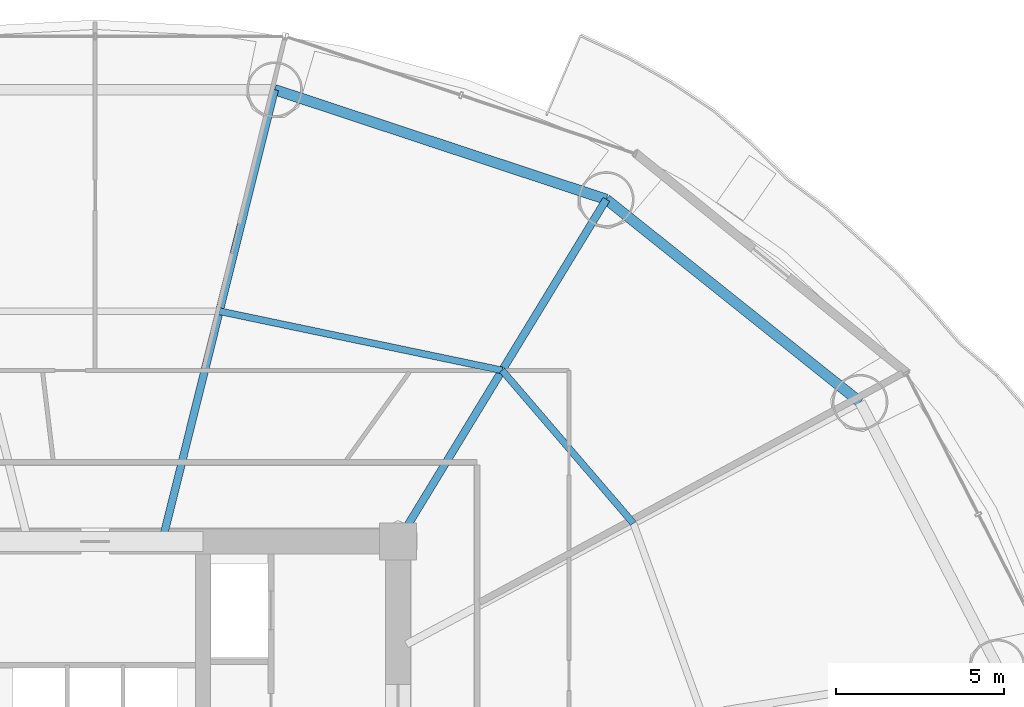
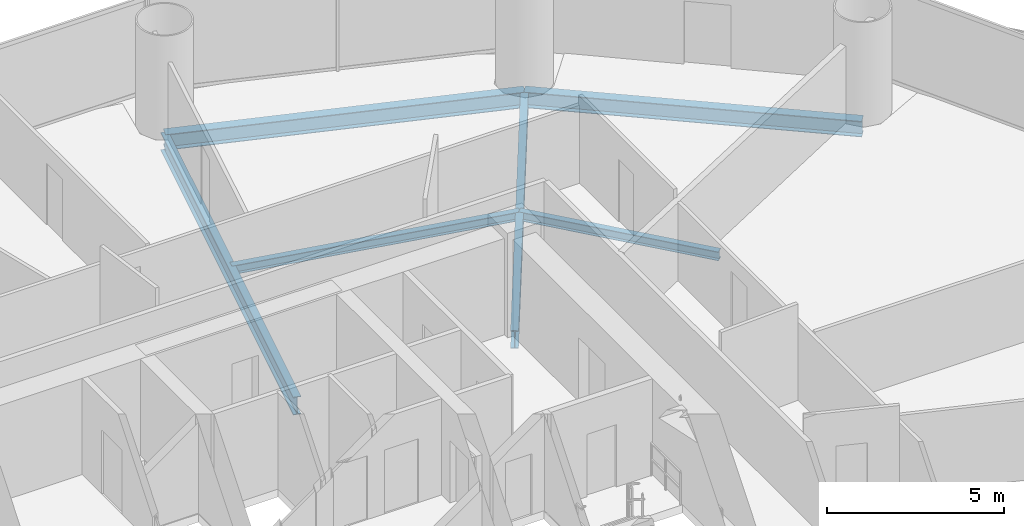
# One storey, part 19 of 30: 6 beams.
"""IFC4 building model written with IfcOpenShell, lengths in metres."""

from ifc_helpers import new_model, si_unit, direction, frame, origin, origin_2d, place, context, subcontext, project, spatial, i_section, extrude, material, material_profile, profile_set, type_object, element, save


model = new_model("IFC4")

# Units and contexts
model_context = context("Model", 3, precision=1e-05, world=origin(), true_north=direction((-0.2419218956, 0.970295726276)))
body_context = subcontext(model_context, "Body", "Model", "MODEL_VIEW")
ifc_project = project(units=[si_unit("LENGTHUNIT", "METRE"), si_unit("AREAUNIT", "SQUARE_METRE"), si_unit("VOLUMEUNIT", "CUBIC_METRE"), si_unit("PLANEANGLEUNIT", "RADIAN"), si_unit("MASSUNIT", "GRAM", prefix="KILO")], contexts=[model_context])

# Site, building, storey
site_placement = place(None, origin())
site = spatial("IfcSite", under=ifc_project, at=site_placement, CompositionType="ELEMENT")
building_placement = place(site_placement, origin())
building = spatial("IfcBuilding", under=site, at=building_placement, Name="Cobrevalo Terracotta Tower", CompositionType="ELEMENT")
storey_placement = place(building_placement, frame((0.0, 0.0, 63.60009765625)))
storey = spatial("IfcBuildingStorey", under=building, at=storey_placement, Name="L16", CompositionType="ELEMENT", Elevation=63.60009765625)

# Beams
ifc_material = material(Name="Steel S355", Category="steel")
ifc_material_profile_1 = material_profile(ifc_material, i_section(OverallWidth=0.22998046875, OverallDepth=0.616943359375, WebThickness=0.01318359375, FlangeThickness=0.022216796875, at=origin_2d()), Name="W 610x140")
ifc_profile_set_1 = profile_set([ifc_material_profile_1], Name="Steel S355")
beam_type_1 = type_object("IfcBeamType", Name="Structural Beam W 610x140 (Steel S355)", PredefinedType="BEAM", material=ifc_profile_set_1)
beam_1_placement = place(storey_placement, frame((53.19482421875, 44.967529296875, -0.588623046875), z_axis=(-0.520309892051, -0.853977526773, 0.0), x_axis=(0.853977526773, -0.520309892051, 0.0)))
element("IfcBeam", 1, at=beam_1_placement, inside=storey, type_object=beam_type_1, Name="L16 radial floor girder 03", PredefinedType="BEAM", context=body_context, shape_type="SweptSolid", body=[
    extrude(i_section(OverallWidth=0.22998046875, OverallDepth=0.616943359375, WebThickness=0.01318359375, FlangeThickness=0.022216796875, at=origin_2d()), origin(), (0.0, 0.0, 1.0), 11.906005859375),
])
beam_2_placement = place(storey_placement, frame((43.335693359375, 48.230224609375, -0.588623046875), z_axis=(-0.241596254786, -0.970376859614, 0.0), x_axis=(0.970376859614, -0.241596254786, 0.0)))
element("IfcBeam", 2, at=beam_2_placement, inside=storey, type_object=beam_type_1, Name="L16 radial floor girder 04", PredefinedType="BEAM", context=body_context, shape_type="SweptSolid", body=[
    extrude(i_section(OverallWidth=0.22998046875, OverallDepth=0.616943359375, WebThickness=0.01318359375, FlangeThickness=0.022216796875, at=origin_2d()), origin(), (0.0, 0.0, 1.0), 13.577392578125),
])
ifc_material_profile_2 = material_profile(ifc_material, i_section(OverallWidth=0.2041015625, OverallDepth=0.305908203125, WebThickness=0.008544921875, FlangeThickness=0.0146484375, at=origin_2d()), Name="W 310x67")
ifc_profile_set_2 = profile_set([ifc_material_profile_2], Name="Steel S355")
beam_type_2 = type_object("IfcBeamType", Name="Structural Joist W 310x67 (Steel S355)", PredefinedType="JOIST", material=ifc_profile_set_2)
beam_3_placement = place(storey_placement, frame((53.997802734375, 35.33984375, -0.43310546875), z_axis=(-0.651328404454, 0.758795960421, 0.0), x_axis=(-0.758795960421, -0.651328404454, 0.0)))
element("IfcBeam", 3, at=beam_3_placement, inside=storey, type_object=beam_type_2, Name="L16 circumferential secondary floor joist 02", PredefinedType="JOIST", context=body_context, shape_type="SweptSolid", body=[
    extrude(i_section(OverallWidth=0.2041015625, OverallDepth=0.305908203125, WebThickness=0.008544921875, FlangeThickness=0.0146484375, at=origin_2d()), origin(), (0.0, 0.0, 1.0), 5.98828125),
])
beam_4_placement = place(storey_placement, frame((50.097412109375, 39.8837890625, -0.43310546875), z_axis=(-0.978784523904, 0.204892302848, 0.0), x_axis=(-0.204892302848, -0.978784523904, 0.0)))
element("IfcBeam", 4, at=beam_4_placement, inside=storey, type_object=beam_type_2, Name="L16 circumferential secondary floor joist 03", PredefinedType="JOIST", context=body_context, shape_type="SweptSolid", body=[
    extrude(i_section(OverallWidth=0.2041015625, OverallDepth=0.305908203125, WebThickness=0.008544921875, FlangeThickness=0.0146484375, at=origin_2d()), origin(), (0.0, 0.0, 1.0), 8.583984375),
])
ifc_material_profile_3 = material_profile(ifc_material, i_section(OverallWidth=0.31201171875, OverallDepth=0.54296875, WebThickness=0.0126953125, FlangeThickness=0.020263671875, at=origin_2d()), Name="W 530x150")
ifc_profile_set_3 = profile_set([ifc_material_profile_3], Name="Steel S355")
beam_type_3 = type_object("IfcBeamType", Name="Structural Spandrel W 530x150 (Steel S355)", PredefinedType="SPANDREL", material=ifc_profile_set_3)
beam_5_placement = place(storey_placement, frame((60.74072265625, 38.939208984375, -0.551513671875), z_axis=(-0.781292806807, 0.62416468182, 0.0), x_axis=(-0.62416468182, -0.781292806807, 0.0)))
element("IfcBeam", 5, at=beam_5_placement, inside=storey, type_object=beam_type_3, Name="L16 perimeter ring spandrel 02", PredefinedType="SPANDREL", context=body_context, shape_type="SweptSolid", body=[
    extrude(i_section(OverallWidth=0.31201171875, OverallDepth=0.54296875, WebThickness=0.0126953125, FlangeThickness=0.020263671875, at=origin_2d()), origin(), (0.0, 0.0, 1.0), 9.658203125),
])
beam_6_placement = place(storey_placement, frame((53.19482421875, 44.967529296875, -0.551513671875), z_axis=(-0.949365190876, 0.314174687638, 0.0), x_axis=(-0.314174687638, -0.949365190876, 0.0)))
element("IfcBeam", 6, at=beam_6_placement, inside=storey, type_object=beam_type_3, Name="L16 perimeter ring spandrel 03", PredefinedType="SPANDREL", context=body_context, shape_type="SweptSolid", body=[
    extrude(i_section(OverallWidth=0.31201171875, OverallDepth=0.54296875, WebThickness=0.0126953125, FlangeThickness=0.020263671875, at=origin_2d()), origin(), (0.0, 0.0, 1.0), 10.385009765625),
])

save(model, "model.ifc")
